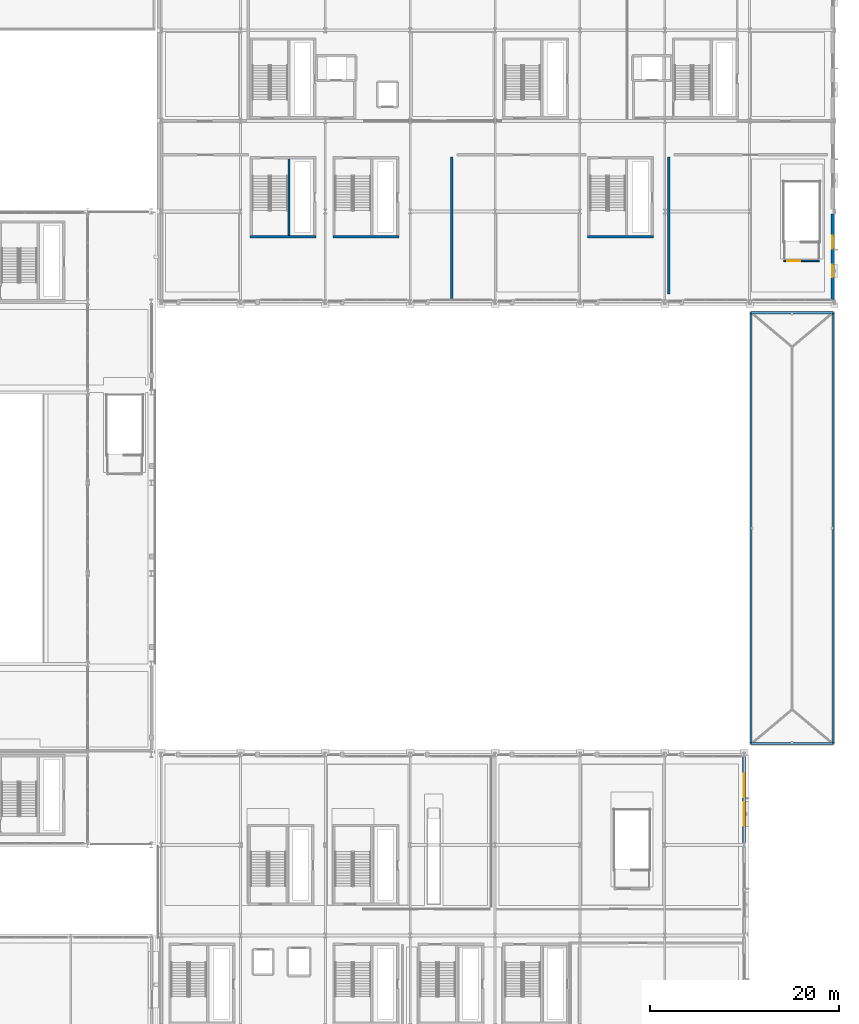
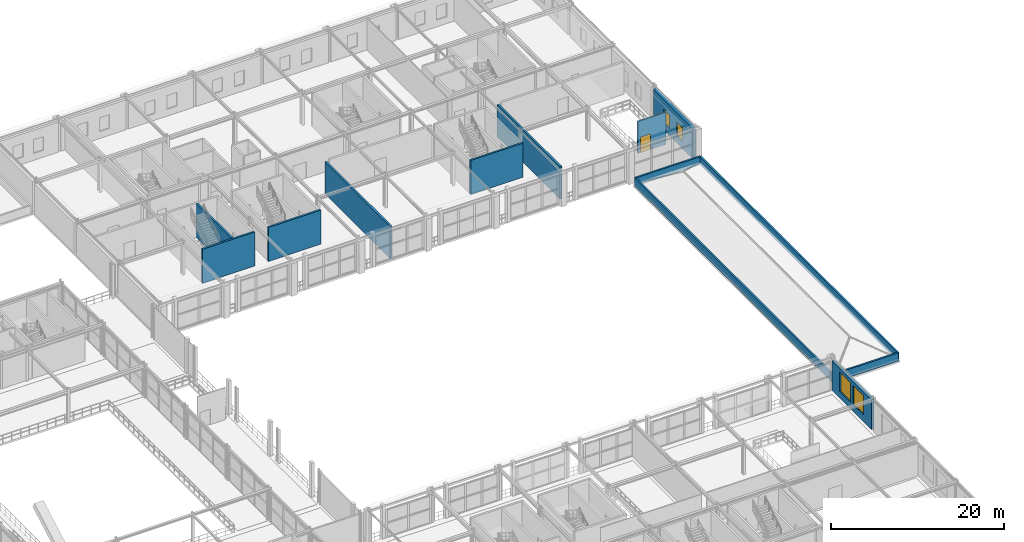
# One storey, part 80 of 125: 13 walls, 4 windows, 1 door, 5 openings.
"""IFC4 building model written with IfcOpenShell, lengths in metres."""

from ifc_helpers import new_model, si_unit, direction, frame, frame_2d, origin, place, context, subcontext, project, spatial, rectangle, extrude, material, layer, layer_set, type_object, element, fill, save


model = new_model("IFC4")

# Units and contexts
model_context = context("Model", 3, precision=1e-05, world=origin(), true_north=direction((0.0, 1.0)))
body_context = subcontext(model_context, "Body", "Model", "MODEL_VIEW")
ifc_project = project(units=[si_unit("LENGTHUNIT", "METRE"), si_unit("AREAUNIT", "SQUARE_METRE"), si_unit("VOLUMEUNIT", "CUBIC_METRE"), si_unit("PLANEANGLEUNIT", "RADIAN"), si_unit("MASSUNIT", "GRAM", prefix="KILO")], contexts=[model_context])

# Site, building, storey
site_placement = place(None, origin())
site = spatial("IfcSite", under=ifc_project, at=site_placement, CompositionType="ELEMENT")
building_placement = place(site_placement, origin())
building = spatial("IfcBuilding", under=site, at=building_placement, Name="Myrtia Square Station", CompositionType="ELEMENT")
storey_placement = place(building_placement, frame((0.0, 0.0, 6.0)))
storey = spatial("IfcBuildingStorey", under=building, at=storey_placement, Name="L01", CompositionType="ELEMENT", Elevation=6.0)

# Walls
ifc_material_1 = material(Name="Concrete C35/45", Category="concrete")
ifc_layer_1 = layer(ifc_material_1, 0.25, Name="Concrete C35/45")
ifc_layer_set_1 = layer_set([ifc_layer_1], Name="Concrete C35/45")
wall_type_1 = type_object("IfcWallType", Name="WL-CORE-250", PredefinedType="SHEAR", material=ifc_layer_set_1)
wall_1_placement = place(storey_placement, frame((127.0, 93.324951171875, 0.0), z_axis=(0.0, 0.0, 1.0), x_axis=(1.0, 0.0, 0.0)))
element("IfcWall", 1, at=wall_1_placement, inside=storey, type_object=wall_type_1, Name="Core K12 shear wall L01 S", PredefinedType="SHEAR", context=body_context, shape_type="SweptSolid", body=[
    extrude(rectangle(XDim=7.0, YDim=0.25, at=frame_2d((3.5, 0.0))), origin(), (0.0, 0.0, 1.0), 4.800048828125),
])
wall_2_placement = place(storey_placement, frame((131.139892578125, 93.39990234375, 0.0), z_axis=(0.0, 0.0, 1.0), x_axis=(0.0, 1.0, 0.0)))
element("IfcWall", 2, at=wall_2_placement, inside=storey, type_object=wall_type_1, Name="Core K12 shear wall L01 D", PredefinedType="SHEAR", context=body_context, shape_type="SweptSolid", body=[
    extrude(rectangle(XDim=8.2001953125, YDim=0.25, at=frame_2d((4.10009765625, 0.0))), origin(), (0.0, 0.0, 1.0), 4.800048828125),
])
for number, where, z_axis, x_axis, name in (
    (3, (135.800048828125, 93.324951171875, 0.0), (0.0, 0.0, 1.0), (1.0, 0.0, 0.0), "Core K13 shear wall L01 S"),
    (4, (162.800048828125, 93.324951171875, 0.0), (0.0, 0.0, 1.0), (1.0, 0.0, 0.0), "Core K16 shear wall L01 S"),
):
    element("IfcWall", number, at=place(storey_placement, frame(where, z_axis=z_axis, x_axis=x_axis)), inside=storey, type_object=wall_type_1, Name=name, PredefinedType="SHEAR", context=body_context, shape_type="SweptSolid", body=[
        extrude(rectangle(XDim=7.0, YDim=0.25, at=frame_2d((3.5, 0.0))), origin(), (0.0, 0.0, 1.0), 4.800048828125),
    ])

# Wall, openings, windows
ifc_material_2 = material(Name="Cream lime stucco on clay brick masonry", Category="masonry")
ifc_layer_2 = layer(ifc_material_2, 0.360107421875, Name="Cream lime stucco on clay brick masonry")
ifc_layer_set_2 = layer_set([ifc_layer_2], Name="Cream lime stucco on clay brick masonry")
wall_type_2 = type_object("IfcWallType", Name="WL-EXT-STUCCO-360", PredefinedType="SOLIDWALL", material=ifc_layer_set_2)
wall_3_placement = place(storey_placement, frame((179.39990234375, 29.030029296875, 0.0), z_axis=(0.0, 0.0, 1.0), x_axis=(0.0, 1.0, 0.0)))
wall_3 = element("IfcWall", 5, at=wall_3_placement, inside=storey, type_object=wall_type_2, Name="Exterior envelope wall EW-L01-0069", PredefinedType="SOLIDWALL", context=body_context, shape_type="SweptSolid", body=[
    extrude(rectangle(XDim=9.139892578125, YDim=0.360107421875, at=frame_2d((4.56982421875, 0.0))), origin(), (0.0, 0.0, 1.0), 4.18505859375),
])
opening_1_placement = place(wall_3_placement, frame((1.797119140625, 0.0, 0.949951171875)))
opening_1 = element("IfcOpeningElement", 6, at=opening_1_placement, cuts=wall_3, Name="Opening WN-071", PredefinedType="OPENING", context=body_context, shape_type="SweptSolid", body=[
    extrude(rectangle(XDim=2.5, YDim=2.699951171875, at=frame_2d((1.25, 1.35009765625))), frame((0.0, 0.195068359375, 0.0), z_axis=(0.0, -1.0, 0.0), x_axis=(1.0, 0.0, 0.0)), (0.0, 0.0, 1.0), 0.39013671875),
])
opening_2_placement = place(wall_3_placement, frame((4.843017578125, 0.0, 0.949951171875)))
opening_2 = element("IfcOpeningElement", 7, at=opening_2_placement, cuts=wall_3, Name="Opening WN-072", PredefinedType="OPENING", context=body_context, shape_type="SweptSolid", body=[
    extrude(rectangle(XDim=2.5, YDim=2.699951171875, at=frame_2d((1.25, 1.35009765625))), frame((0.0, 0.195068359375, 0.0), z_axis=(0.0, -1.0, 0.0), x_axis=(1.0, 0.0, 0.0)), (0.0, 0.0, 1.0), 0.39013671875),
])
ifc_material_3 = material(Name="Tinted low-E solar control glass", Category="glass")
window_type_1 = type_object("IfcWindowType", Name="WN-RET-2500x2700", PartitioningType="SINGLE_PANEL", PredefinedType="WINDOW", material=ifc_material_3)
window_1_placement = place(opening_1_placement, origin())
window_1 = element("IfcWindow", 8, at=window_1_placement, inside=storey, type_object=window_type_1, Name="Window WN-071", OverallHeight=2.699951171875, OverallWidth=2.5, PartitioningType="SINGLE_PANEL", PredefinedType="WINDOW", context=body_context, shape_type="SweptSolid", body=[
    extrude(rectangle(XDim=2.5, YDim=2.699951171875, at=frame_2d((1.25, 1.35009765625))), frame((0.0, 0.030029296875, 0.0), z_axis=(0.0, -1.0, 0.0), x_axis=(1.0, 0.0, 0.0)), (0.0, 0.0, 1.0), 0.06005859375),
])
fill(opening_1, window_1)
window_2_placement = place(opening_2_placement, origin())
window_2 = element("IfcWindow", 9, at=window_2_placement, inside=storey, type_object=window_type_1, Name="Window WN-072", OverallHeight=2.699951171875, OverallWidth=2.5, PartitioningType="SINGLE_PANEL", PredefinedType="WINDOW", context=body_context, shape_type="SweptSolid", body=[
    extrude(rectangle(XDim=2.5, YDim=2.699951171875, at=frame_2d((1.25, 1.35009765625))), frame((0.0, 0.030029296875, 0.0), z_axis=(0.0, -1.0, 0.0), x_axis=(1.0, 0.0, 0.0)), (0.0, 0.0, 1.0), 0.06005859375),
])
fill(opening_2, window_2)

wall_4_placement = place(storey_placement, frame((188.800048828125, 86.655029296875, 0.0), z_axis=(0.0, 0.0, 1.0), x_axis=(0.0, 1.0, 0.0)))
wall_4 = element("IfcWall", 10, at=wall_4_placement, inside=storey, type_object=wall_type_2, Name="Exterior envelope wall EW-L01-0116", PredefinedType="SOLIDWALL", context=body_context, shape_type="SweptSolid", body=[
    extrude(rectangle(XDim=9.090087890625, YDim=0.360107421875, at=frame_2d((4.544921875, 0.0))), origin(), (0.0, 0.0, 1.0), 4.280029296875),
])
opening_3_placement = place(wall_4_placement, frame((2.35498046875, 0.0, 0.949951171875)))
opening_3 = element("IfcOpeningElement", 11, at=opening_3_placement, cuts=wall_4, Name="Opening WN-125", PredefinedType="OPENING", context=body_context, shape_type="SweptSolid", body=[
    extrude(rectangle(XDim=1.35009765625, YDim=1.949951171875, at=frame_2d((0.675048828125, 0.97509765625))), frame((0.0, 0.195068359375, 0.0), z_axis=(0.0, -1.0, 0.0), x_axis=(1.0, 0.0, 0.0)), (0.0, 0.0, 1.0), 0.39013671875),
])
opening_4_placement = place(wall_4_placement, frame((5.385009765625, 0.0, 0.949951171875)))
opening_4 = element("IfcOpeningElement", 12, at=opening_4_placement, cuts=wall_4, Name="Opening WN-126", PredefinedType="OPENING", context=body_context, shape_type="SweptSolid", body=[
    extrude(rectangle(XDim=1.35009765625, YDim=1.949951171875, at=frame_2d((0.675048828125, 0.97509765625))), frame((0.0, 0.195068359375, 0.0), z_axis=(0.0, -1.0, 0.0), x_axis=(1.0, 0.0, 0.0)), (0.0, 0.0, 1.0), 0.39013671875),
])
window_type_2 = type_object("IfcWindowType", Name="WN-OPS-1350x1950", PartitioningType="SINGLE_PANEL", PredefinedType="WINDOW", material=ifc_material_3)
window_3_placement = place(opening_3_placement, origin())
window_3 = element("IfcWindow", 13, at=window_3_placement, inside=storey, type_object=window_type_2, Name="Window WN-125", OverallHeight=1.949951171875, OverallWidth=1.35009765625, PartitioningType="SINGLE_PANEL", PredefinedType="WINDOW", context=body_context, shape_type="SweptSolid", body=[
    extrude(rectangle(XDim=1.35009765625, YDim=1.949951171875, at=frame_2d((0.675048828125, 0.97509765625))), frame((0.0, 0.030029296875, 0.0), z_axis=(0.0, -1.0, 0.0), x_axis=(1.0, 0.0, 0.0)), (0.0, 0.0, 1.0), 0.06005859375),
])
fill(opening_3, window_3)
window_4_placement = place(opening_4_placement, origin())
window_4 = element("IfcWindow", 14, at=window_4_placement, inside=storey, type_object=window_type_2, Name="Window WN-126", OverallHeight=1.949951171875, OverallWidth=1.35009765625, PartitioningType="SINGLE_PANEL", PredefinedType="WINDOW", context=body_context, shape_type="SweptSolid", body=[
    extrude(rectangle(XDim=1.35009765625, YDim=1.949951171875, at=frame_2d((0.675048828125, 0.97509765625))), frame((0.0, 0.030029296875, 0.0), z_axis=(0.0, -1.0, 0.0), x_axis=(1.0, 0.0, 0.0)), (0.0, 0.0, 1.0), 0.06005859375),
])
fill(opening_4, window_4)

# Walls
ifc_layer_3 = layer(ifc_material_2, 0.22998046875, Name="Cream lime stucco on clay brick masonry")
ifc_layer_set_3 = layer_set([ifc_layer_3], Name="Cream lime stucco on clay brick masonry")
wall_type_3 = type_object("IfcWallType", Name="WL-PAR-STUCCO-230", PredefinedType="PARAPET", material=ifc_layer_set_3)
wall_5_placement = place(storey_placement, frame((180.14990234375, 39.550048828125, 0.0), z_axis=(0.0, 0.0, 1.0), x_axis=(1.0, 0.0, 0.0)))
element("IfcWall", 15, at=wall_5_placement, inside=storey, type_object=wall_type_3, Name="Spanish Mission roof parapet 001", PredefinedType="PARAPET", context=body_context, shape_type="SweptSolid", body=[
    extrude(rectangle(XDim=8.7001953125, YDim=0.22998046875, at=frame_2d((4.35009765625, 0.0))), origin(), (0.0, 0.0, 1.0), 1.14990234375),
])
wall_6_placement = place(storey_placement, frame((188.85009765625, 39.550048828125, 0.0), z_axis=(0.0, 0.0, 1.0), x_axis=(0.0, 1.0, 0.0)))
element("IfcWall", 16, at=wall_6_placement, inside=storey, type_object=wall_type_3, Name="Spanish Mission roof parapet 002", PredefinedType="PARAPET", context=body_context, shape_type="SweptSolid", body=[
    extrude(rectangle(XDim=45.699951171875, YDim=0.22998046875, at=frame_2d((22.85009765625, 0.0))), origin(), (0.0, 0.0, 1.0), 1.14990234375),
])
wall_7_placement = place(storey_placement, frame((188.85009765625, 85.25, 0.0), z_axis=(0.0, 0.0, 1.0), x_axis=(-1.0, 0.0, 0.0)))
element("IfcWall", 17, at=wall_7_placement, inside=storey, type_object=wall_type_3, Name="Spanish Mission roof parapet 003", PredefinedType="PARAPET", context=body_context, shape_type="SweptSolid", body=[
    extrude(rectangle(XDim=8.7001953125, YDim=0.22998046875, at=frame_2d((4.35009765625, 0.0))), origin(), (0.0, 0.0, 1.0), 1.14990234375),
])
wall_8_placement = place(storey_placement, frame((180.14990234375, 85.25, 0.0), z_axis=(0.0, 0.0, 1.0), x_axis=(0.0, -1.0, 0.0)))
element("IfcWall", 18, at=wall_8_placement, inside=storey, type_object=wall_type_3, Name="Spanish Mission roof parapet 004", PredefinedType="PARAPET", context=body_context, shape_type="SweptSolid", body=[
    extrude(rectangle(XDim=45.699951171875, YDim=0.22998046875, at=frame_2d((22.85009765625, 0.0))), origin(), (0.0, 0.0, 1.0), 1.14990234375),
])

# Wall, opening, door
ifc_material_4 = material(Name="Gypsum plasterboard")
ifc_layer_4 = layer(ifc_material_4, 0.14990234375, Name="Gypsum plasterboard")
ifc_layer_set_4 = layer_set([ifc_layer_4], Name="Gypsum plasterboard")
wall_type_4 = type_object("IfcWallType", Name="WL-PART-150", PredefinedType="PARTITIONING", material=ifc_layer_set_4)
wall_9_placement = place(storey_placement, frame((183.639892578125, 90.75, 0.0), z_axis=(0.0, 0.0, 1.0), x_axis=(1.0, 0.0, 0.0)))
wall_9 = element("IfcWall", 19, at=wall_9_placement, inside=storey, type_object=wall_type_4, Name="Interchange stair smoke vestibule wall 08 L01", PredefinedType="PARTITIONING", context=body_context, shape_type="SweptSolid", body=[
    extrude(rectangle(XDim=3.760009765625, YDim=0.14990234375, at=frame_2d((1.8798828125, 0.0))), origin(), (0.0, 0.0, 1.0), 4.530029296875),
])
opening_5_placement = place(wall_9_placement, frame((0.35009765625, 0.0, 0.0)))
opening_5 = element("IfcOpeningElement", 20, at=opening_5_placement, cuts=wall_9, Name="Opening SD-198", PredefinedType="OPENING", context=body_context, shape_type="SweptSolid", body=[
    extrude(rectangle(XDim=1.35009765625, YDim=2.199951171875, at=frame_2d((0.675048828125, 1.10009765625))), frame((0.0, 0.08984375, 0.0), z_axis=(0.0, -1.0, 0.0), x_axis=(1.0, 0.0, 0.0)), (0.0, 0.0, 1.0), 0.179931640625),
])
ifc_material_5 = material(Name="Dark bronze anodised aluminium", Category="aluminium")
door_type = type_object("IfcDoorType", Name="DR-STAIR-1350x2200", OperationType="NOTDEFINED", PredefinedType="DOOR", material=ifc_material_5)
door_placement = place(opening_5_placement, frame((1.35009765625, 0.0, 0.0), z_axis=(0.0, 0.0, 1.0), x_axis=(-1.0, 0.0, 0.0)))
door = element("IfcDoor", 21, at=door_placement, inside=storey, type_object=door_type, Name="Interchange stair fire door 08 L01", OperationType="SINGLE_SWING_RIGHT", OverallHeight=2.199951171875, OverallWidth=1.35009765625, PredefinedType="DOOR", context=body_context, shape_type="SweptSolid", body=[
    extrude(rectangle(XDim=1.35009765625, YDim=2.199951171875, at=frame_2d((0.675048828125, 1.10009765625))), frame((0.0, 0.02490234375, 0.0), z_axis=(0.0, -1.0, 0.0), x_axis=(1.0, 0.0, 0.0)), (0.0, 0.0, 1.0), 0.050048828125),
])
fill(opening_5, door)

# Walls
ifc_layer_5 = layer(ifc_material_2, 0.260009765625, Name="Cream lime stucco on clay brick masonry")
ifc_layer_set_5 = layer_set([ifc_layer_5], Name="Cream lime stucco on clay brick masonry")
wall_type_5 = type_object("IfcWallType", Name="WL-PART-260", PredefinedType="PARTITIONING", material=ifc_layer_set_5)
wall_10_placement = place(storey_placement, frame((148.39990234375, 86.68505859375, 0.0), z_axis=(0.0, 0.0, 1.0), x_axis=(0.0, 1.0, 0.0)))
element("IfcWall", 22, at=wall_10_placement, inside=storey, type_object=wall_type_5, Name="Room divider partition L01-15", PredefinedType="PARTITIONING", context=body_context, shape_type="SweptSolid", body=[
    extrude(rectangle(XDim=15.06494140625, YDim=0.260009765625, at=frame_2d((7.532470703125, 0.0))), origin(), (0.0, 0.0, 1.0), 4.530029296875),
])
wall_11_placement = place(storey_placement, frame((171.39990234375, 87.25, 0.0), z_axis=(0.0, 0.0, 1.0), x_axis=(0.0, 1.0, 0.0)))
element("IfcWall", 23, at=wall_11_placement, inside=storey, type_object=wall_type_5, Name="Room divider partition L01-16", PredefinedType="PARTITIONING", context=body_context, shape_type="SweptSolid", body=[
    extrude(rectangle(XDim=14.5, YDim=0.260009765625, at=frame_2d((7.25, 0.0))), origin(), (0.0, 0.0, 1.0), 4.530029296875),
])

save(model, "model.ifc")
